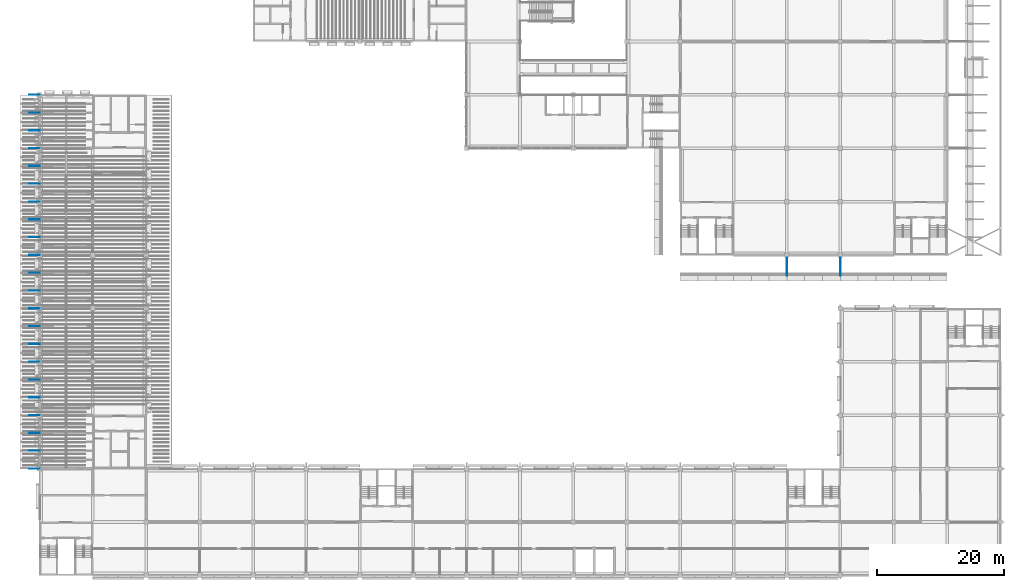
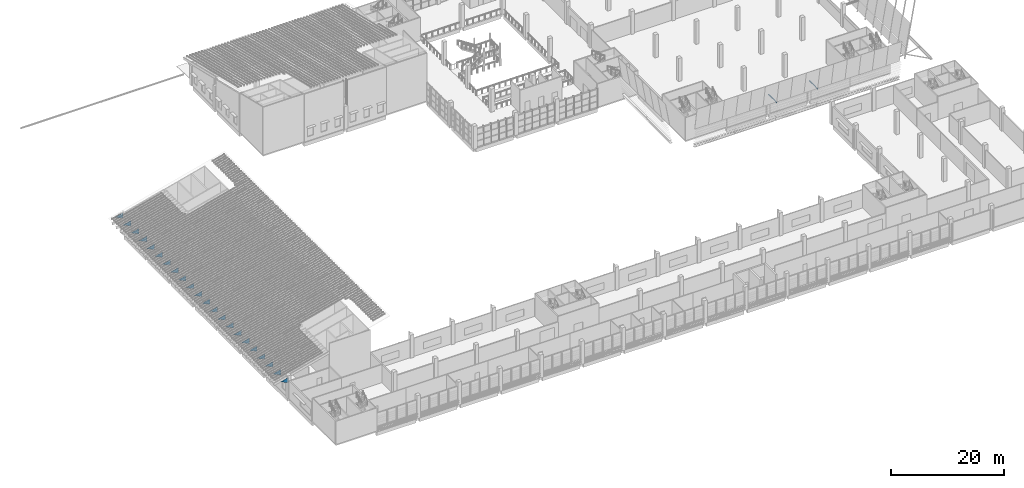
# One storey, part 32 of 82: 24 discrete accessories.
"""IFC4 building model written with IfcOpenShell, lengths in metres."""

from ifc_helpers import new_model, si_unit, direction, frame, origin, origin_2d, place, context, subcontext, project, spatial, polyline, rectangle, outline, extrude, material, type_object, element, save


model = new_model("IFC4")

# Units and contexts
model_context = context("Model", 3, precision=1e-05, world=origin(), true_north=direction((0.0, 1.0)))
body_context = subcontext(model_context, "Body", "Model", "MODEL_VIEW")
ifc_project = project(units=[si_unit("LENGTHUNIT", "METRE"), si_unit("AREAUNIT", "SQUARE_METRE"), si_unit("VOLUMEUNIT", "CUBIC_METRE"), si_unit("PLANEANGLEUNIT", "RADIAN"), si_unit("MASSUNIT", "GRAM", prefix="KILO")], contexts=[model_context])

# Site, building, storey
site_placement = place(None, origin())
site = spatial("IfcSite", under=ifc_project, at=site_placement, CompositionType="ELEMENT")
building_placement = place(site_placement, origin())
building = spatial("IfcBuilding", under=site, at=building_placement, Name="Almond Square Museum", CompositionType="ELEMENT")
storey_placement = place(building_placement, frame((0.0, 0.0, 20.0)))
storey = spatial("IfcBuildingStorey", under=building, at=storey_placement, Name="L03", CompositionType="ELEMENT", Elevation=20.0)

# Discrete accessories
ifc_material_1 = material(Name="Structural steel S355", Category="steel")
discrete_accessory_type_1 = type_object("IfcDiscreteAccessoryType", Name="Eave knee bracket", PredefinedType="BRACKET", material=ifc_material_1)
for number, where, z_axis, x_axis, name in (
    (1, (6.0400390625, 16.800048828125, 4.400146484375), (0.0, 1.0, 0.0), (0.0, 0.0, -1.0), "Eave knee bracket W.6.1"),
    (2, (6.0400390625, 19.60009765625, 4.400146484375), (0.0, 1.0, 0.0), (0.0, 0.0, -1.0), "Eave knee bracket W.6.2"),
    (3, (6.0400390625, 22.39990234375, 4.400146484375), (0.0, 1.0, 0.0), (0.0, 0.0, -1.0), "Eave knee bracket W.6.3"),
    (4, (6.0400390625, 25.199951171875, 4.400146484375), (0.0, 1.0, 0.0), (0.0, 0.0, -1.0), "Eave knee bracket W.6.4"),
    (5, (6.0400390625, 28.0, 4.400146484375), (0.0, 1.0, 0.0), (0.0, 0.0, -1.0), "Eave knee bracket W.6.5"),
    (6, (6.0400390625, 30.800048828125, 4.400146484375), (0.0, 1.0, 0.0), (0.0, 0.0, -1.0), "Eave knee bracket W.6.6"),
    (7, (6.0400390625, 33.60009765625, 4.400146484375), (0.0, 1.0, 0.0), (0.0, 0.0, -1.0), "Eave knee bracket W.6.7"),
    (8, (6.0400390625, 36.39990234375, 4.400146484375), (0.0, 1.0, 0.0), (0.0, 0.0, -1.0), "Eave knee bracket W.6.8"),
    (9, (6.0400390625, 39.199951171875, 4.400146484375), (0.0, 1.0, 0.0), (0.0, 0.0, -1.0), "Eave knee bracket W.6.9"),
    (10, (6.0400390625, 42.0, 4.400146484375), (0.0, 1.0, 0.0), (0.0, 0.0, -1.0), "Eave knee bracket W.6.10"),
    (11, (6.0400390625, 44.800048828125, 4.400146484375), (0.0, 1.0, 0.0), (0.0, 0.0, -1.0), "Eave knee bracket W.6.11"),
    (12, (6.0400390625, 47.60009765625, 4.400146484375), (0.0, 1.0, 0.0), (0.0, 0.0, -1.0), "Eave knee bracket W.6.12"),
    (13, (6.0400390625, 50.39990234375, 4.400146484375), (0.0, 1.0, 0.0), (0.0, 0.0, -1.0), "Eave knee bracket W.6.13"),
    (14, (6.0400390625, 53.199951171875, 4.400146484375), (0.0, 1.0, 0.0), (0.0, 0.0, -1.0), "Eave knee bracket W.6.14"),
    (15, (6.0400390625, 56.0, 4.400146484375), (0.0, 1.0, 0.0), (0.0, 0.0, -1.0), "Eave knee bracket W.6.15"),
    (16, (6.0400390625, 58.800048828125, 4.400146484375), (0.0, 1.0, 0.0), (0.0, 0.0, -1.0), "Eave knee bracket W.6.16"),
    (17, (6.0400390625, 61.60009765625, 4.400146484375), (0.0, 1.0, 0.0), (0.0, 0.0, -1.0), "Eave knee bracket W.6.17"),
    (18, (6.0400390625, 64.39990234375, 4.400146484375), (0.0, 1.0, 0.0), (0.0, 0.0, -1.0), "Eave knee bracket W.6.18"),
    (19, (6.0400390625, 67.199951171875, 4.400146484375), (0.0, 1.0, 0.0), (0.0, 0.0, -1.0), "Eave knee bracket W.6.19"),
    (20, (6.0400390625, 70.0, 4.400146484375), (0.0, 1.0, 0.0), (0.0, 0.0, -1.0), "Eave knee bracket W.6.20"),
    (21, (6.0400390625, 72.800048828125, 4.400146484375), (0.0, 1.0, 0.0), (0.0, 0.0, -1.0), "Eave knee bracket W.6.21"),
    (22, (6.0400390625, 75.60009765625, 4.400146484375), (0.0, 1.0, 0.0), (0.0, 0.0, -1.0), "Eave knee bracket W.6.22"),
):
    element("IfcDiscreteAccessory", number, at=place(storey_placement, frame(where, z_axis=z_axis, x_axis=x_axis)), inside=storey, type_object=discrete_accessory_type_1, Name=name, PredefinedType="BRACKET", context=body_context, shape_type="SweptSolid", body=[
        extrude(outline(polyline([(0.0, 0.0), (1.199951171875, 0.0), (0.429443359375, 1.64013671875), (0.0, 0.0)])), frame((0.0, 0.0, -0.01513671875)), (0.0, 0.0, 1.0), 0.030029296875),
    ])
ifc_material_2 = material(Name="Stainless steel", Category="steel")
discrete_accessory_type_2 = type_object("IfcDiscreteAccessoryType", Name="Louvre post bracket", PredefinedType="BRACKET", material=ifc_material_2)
for number, where, z_axis, x_axis, name in (
    (23, (123.60009765625, 48.576416015625, 4.33984375), (0.0, 0.0, 1.0), (1.0, 0.0, 0.0), "Bracket louvre post"),
    (24, (132.0, 48.576416015625, 4.33984375), (0.0, 0.0, 1.0), (1.0, 0.0, 0.0), "Bracket louvre post"),
):
    element("IfcDiscreteAccessory", number, at=place(storey_placement, frame(where, z_axis=z_axis, x_axis=x_axis)), inside=storey, type_object=discrete_accessory_type_2, Name=name, PredefinedType="BRACKET", context=body_context, shape_type="SweptSolid", body=[
        extrude(rectangle(XDim=0.10009765625, YDim=2.85107421875, at=origin_2d()), origin(), (0.0, 0.0, 1.0), 0.1201171875),
    ])

save(model, "model.ifc")
